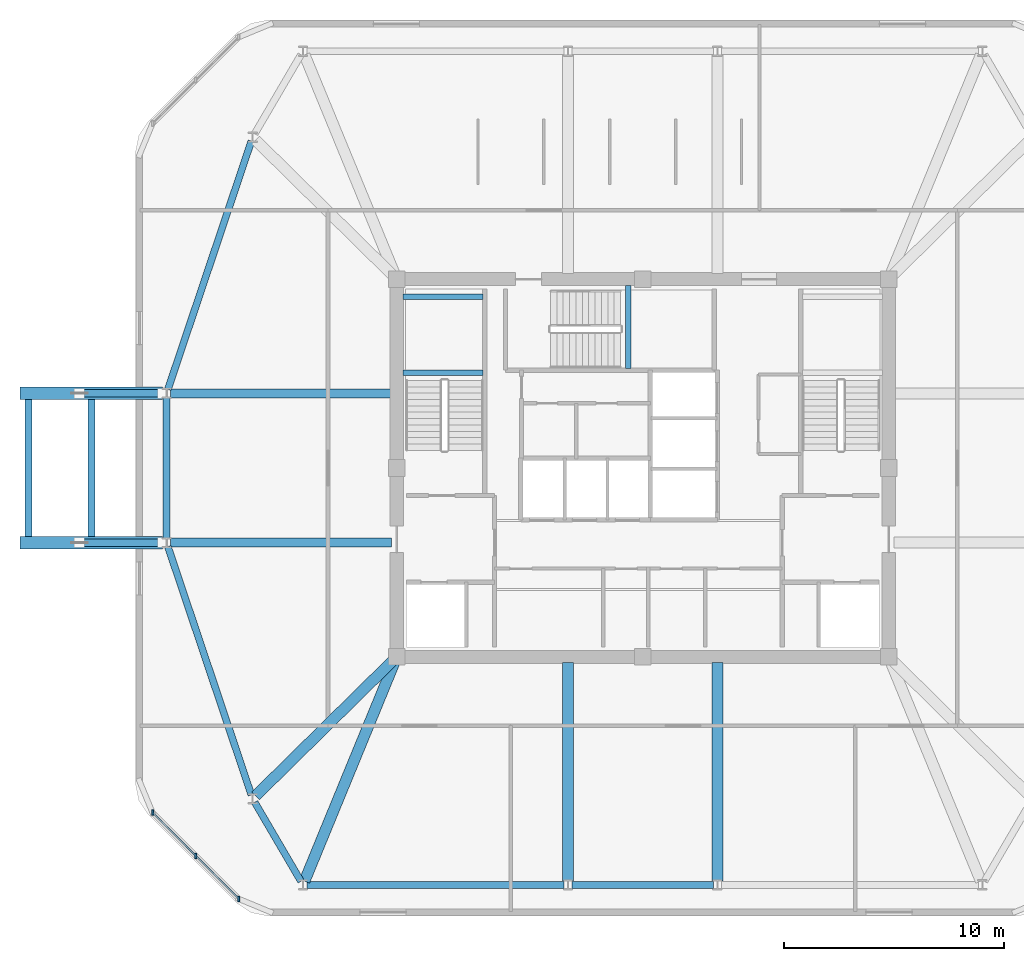
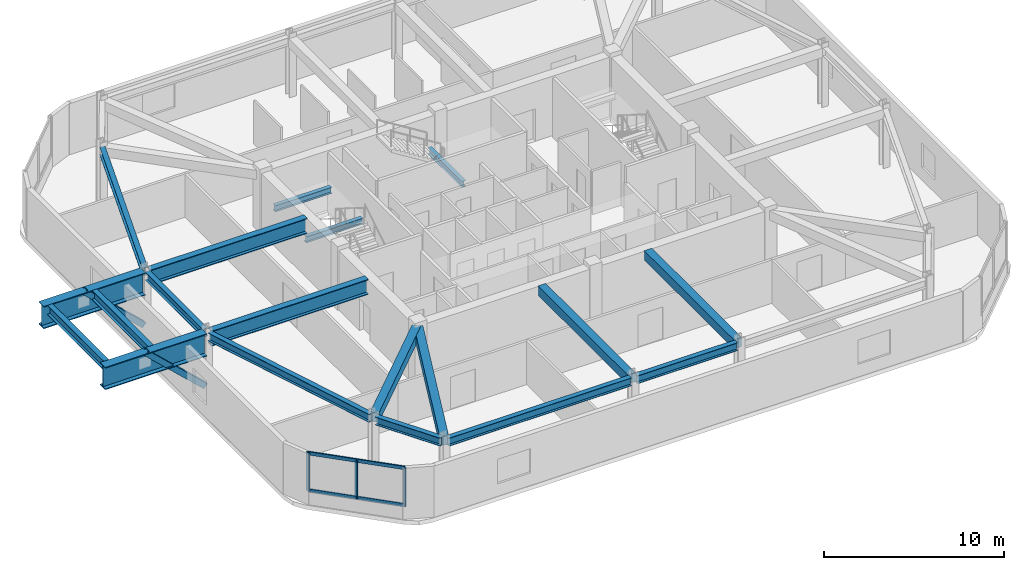
# One storey, part 2 of 9: 19 beams, 7 members, 1 element without a shape of its own.
"""IFC4 building model written with IfcOpenShell, lengths in metres."""

from ifc_helpers import new_model, si_unit, derived_unit, direction, frame, origin, origin_2d, place, context, subcontext, project, spatial, rectangle, hollow_rectangle, i_section, extrude, material, material_profile, profile_set, type_object, element, aggregate, save


model = new_model("IFC4")

# Units and contexts
model_context = context("Model", 3, precision=1e-05, world=origin(), true_north=direction((0.0, 1.0)))
body_context = subcontext(model_context, "Body", "Model", "MODEL_VIEW")
ifc_project = project(units=[si_unit("LENGTHUNIT", "METRE"), si_unit("AREAUNIT", "SQUARE_METRE"), si_unit("VOLUMEUNIT", "CUBIC_METRE"), si_unit("PLANEANGLEUNIT", "RADIAN"), si_unit("MASSUNIT", "GRAM", prefix="KILO"), derived_unit("THERMALTRANSMITTANCEUNIT", [(si_unit("POWERUNIT", "WATT"), 1), (si_unit("LENGTHUNIT", "METRE"), -2), (si_unit("THERMODYNAMICTEMPERATUREUNIT", "KELVIN"), -1)])], contexts=[model_context])

# Site, building, storey
site_placement = place(None, origin())
site = spatial("IfcSite", under=ifc_project, at=site_placement, CompositionType="ELEMENT")
building_placement = place(site_placement, origin())
building = spatial("IfcBuilding", under=site, at=building_placement, Name="Koralith Skygarden Medical Center", CompositionType="ELEMENT")
storey_placement = place(building_placement, frame((0.0, 0.0, 286.02001953125)))
storey = spatial("IfcBuildingStorey", under=building, at=storey_placement, Name="L74", CompositionType="ELEMENT", Elevation=286.02001953125)

# Curtain wall, members
ifc_material_1 = material(Name="Clear Laminated Glass", Category="glass")
curtain_wall_type = type_object("IfcCurtainWallType", Name="CW-8 Crown Lookout Low-Iron Curtain Wall", PredefinedType="NOTDEFINED", material=ifc_material_1)
curtain_wall_placement = place(storey_placement, origin())
curtain_wall = element("IfcCurtainWall", 1, at=curtain_wall_placement, inside=storey, type_object=curtain_wall_type, Name="Curtain Wall CW-L74-SW", PredefinedType="NOTDEFINED")
ifc_material_2 = material(Name="Aluminium 6063-T6", Category="aluminium")
ifc_material_profile_1 = material_profile(ifc_material_2, rectangle(XDim=0.089111328125, YDim=0.25, at=origin_2d()), Name="MUL89X250")
ifc_profile_set_1 = profile_set([ifc_material_profile_1], Name="Aluminium 6063-T6")
member_type_1 = type_object("IfcMemberType", Name="CW-8 Extruded Mullion 89x250", PredefinedType="MULLION", material=ifc_profile_set_1)
member_1_placement = place(storey_placement, frame((14.680908203125, 10.2041015625, 0.85009765625), z_axis=(0.0, 0.0, 1.0), x_axis=(1.0, 0.0, 0.0)))
member_1 = element("IfcMember", 2, at=member_1_placement, type_object=member_type_1, Name="CW-L74-SW Mullion 1", PredefinedType="MULLION", context=body_context, shape_type="SweptSolid", body=[
    extrude(rectangle(XDim=0.089111328125, YDim=0.25, at=origin_2d()), origin(), (0.0, 0.0, 1.0), 2.60986328125),
])
member_2_placement = place(storey_placement, frame((16.64208984375, 8.241943359375, 0.85009765625), z_axis=(0.0, 0.0, 1.0), x_axis=(1.0, 0.0, 0.0)))
member_2 = element("IfcMember", 3, at=member_2_placement, type_object=member_type_1, Name="CW-L74-SW Mullion 2", PredefinedType="MULLION", context=body_context, shape_type="SweptSolid", body=[
    extrude(rectangle(XDim=0.089111328125, YDim=0.25, at=origin_2d()), origin(), (0.0, 0.0, 1.0), 2.60986328125),
])
member_3_placement = place(storey_placement, frame((18.60400390625, 6.281005859375, 0.85009765625), z_axis=(0.0, 0.0, 1.0), x_axis=(1.0, 0.0, 0.0)))
member_3 = element("IfcMember", 4, at=member_3_placement, type_object=member_type_1, Name="CW-L74-SW Mullion 3", PredefinedType="MULLION", context=body_context, shape_type="SweptSolid", body=[
    extrude(rectangle(XDim=0.089111328125, YDim=0.25, at=origin_2d()), origin(), (0.0, 0.0, 1.0), 2.60986328125),
])
ifc_material_profile_2 = material_profile(ifc_material_2, rectangle(XDim=0.083984375, YDim=0.22509765625, at=origin_2d()), Name="TRN84X225")
ifc_profile_set_2 = profile_set([ifc_material_profile_2], Name="Aluminium 6063-T6")
member_type_2 = type_object("IfcMemberType", Name="CW-8 Thermal Transom 84x225", PredefinedType="USERDEFINED", material=ifc_profile_set_2)
member_4_placement = place(storey_placement, frame((14.680908203125, 10.2041015625, 0.89990234375), z_axis=(0.707106781187, -0.707106781187, 0.0), x_axis=(0.707106781187, 0.707106781187, 0.0)))
member_4 = element("IfcMember", 5, at=member_4_placement, type_object=member_type_2, Name="CW-L74-SW Transom 1", ObjectType="TRANSOM", PredefinedType="USERDEFINED", context=body_context, shape_type="SweptSolid", body=[
    extrude(rectangle(XDim=0.083984375, YDim=0.22509765625, at=origin_2d()), origin(), (0.0, 0.0, 1.0), 5.548095703125),
])
member_5_placement = place(storey_placement, frame((14.680908203125, 10.2041015625, 3.409912109375), z_axis=(0.707106781187, -0.707106781187, 0.0), x_axis=(0.707106781187, 0.707106781187, 0.0)))
member_5 = element("IfcMember", 6, at=member_5_placement, type_object=member_type_2, Name="CW-L74-SW Transom 2", ObjectType="TRANSOM", PredefinedType="USERDEFINED", context=body_context, shape_type="SweptSolid", body=[
    extrude(rectangle(XDim=0.083984375, YDim=0.22509765625, at=origin_2d()), origin(), (0.0, 0.0, 1.0), 5.548095703125),
])
aggregate(curtain_wall, [member_1, member_2, member_3, member_4, member_5])

# Beams
ifc_material_3 = material(Name="Steel ASTM A992 Grade 50", Category="steel")
ifc_material_profile_3 = material_profile(ifc_material_3, i_section(OverallWidth=0.31201171875, OverallDepth=0.54296875, WebThickness=0.0126953125, FlangeThickness=0.020263671875, at=origin_2d()), Name="W21X101")
ifc_profile_set_3 = profile_set([ifc_material_profile_3], Name="Steel ASTM A992 Grade 50")
beam_type_1 = type_object("IfcBeamType", Name="Canopy Ring Beam W21X101", PredefinedType="SPANDREL", material=ifc_profile_set_3)
beam_1_placement = place(storey_placement, frame((15.37890625, 22.324951171875, 3.7490234375), z_axis=(0.318639095106, -0.947876113778, 0.0), x_axis=(0.947876113778, 0.318639095106, 0.0)))
element("IfcBeam", 7, at=beam_1_placement, inside=storey, type_object=beam_type_1, Name="L74 Perimeter Spandrel Beam SP-01", PredefinedType="SPANDREL", context=body_context, shape_type="SweptSolid", body=[
    extrude(i_section(OverallWidth=0.31201171875, OverallDepth=0.54296875, WebThickness=0.0126953125, FlangeThickness=0.020263671875, at=origin_2d()), origin(), (0.0, 0.0, 1.0), 11.931884765625),
])
beam_2_placement = place(storey_placement, frame((19.3330078125, 10.679931640625, 3.7490234375), z_axis=(0.504951618525, -0.863147648406, 0.0), x_axis=(0.863147648406, 0.504951618525, 0.0)))
element("IfcBeam", 8, at=beam_2_placement, inside=storey, type_object=beam_type_1, Name="L74 Perimeter Spandrel Beam SP-02", PredefinedType="SPANDREL", context=body_context, shape_type="SweptSolid", body=[
    extrude(i_section(OverallWidth=0.31201171875, OverallDepth=0.54296875, WebThickness=0.0126953125, FlangeThickness=0.020263671875, at=origin_2d()), origin(), (0.0, 0.0, 1.0), 4.170654296875),
])
beam_3_placement = place(storey_placement, frame((21.717041015625, 6.919921875, 3.7490234375), z_axis=(1.0, 0.0, 0.0), x_axis=(0.0, 1.0, 0.0)))
element("IfcBeam", 9, at=beam_3_placement, inside=storey, type_object=beam_type_1, Name="L74 Perimeter Spandrel Beam SP-03", PredefinedType="SPANDREL", context=body_context, shape_type="SweptSolid", body=[
    extrude(i_section(OverallWidth=0.31201171875, OverallDepth=0.54296875, WebThickness=0.0126953125, FlangeThickness=0.020263671875, at=origin_2d()), origin(), (0.0, 0.0, 1.0), 11.697998046875),
])
beam_4_placement = place(storey_placement, frame((33.784912109375, 6.919921875, 3.7490234375), z_axis=(1.0, 0.0, 0.0), x_axis=(0.0, 1.0, 0.0)))
element("IfcBeam", 10, at=beam_4_placement, inside=storey, type_object=beam_type_1, Name="L74 Perimeter Spandrel Beam SP-04", PredefinedType="SPANDREL", context=body_context, shape_type="SweptSolid", body=[
    extrude(i_section(OverallWidth=0.31201171875, OverallDepth=0.54296875, WebThickness=0.0126953125, FlangeThickness=0.020263671875, at=origin_2d()), origin(), (0.0, 0.0, 1.0), 6.43017578125),
])
beam_5_placement = place(storey_placement, frame((19.180908203125, 40.784912109375, 3.7490234375), z_axis=(-0.318645275061, -0.947874036294, 0.0), x_axis=(0.947874036294, -0.318645275061, 0.0)))
element("IfcBeam", 11, at=beam_5_placement, inside=storey, type_object=beam_type_1, Name="L74 Perimeter Spandrel Beam SP-15", PredefinedType="SPANDREL", context=body_context, shape_type="SweptSolid", body=[
    extrude(i_section(OverallWidth=0.31201171875, OverallDepth=0.54296875, WebThickness=0.0126953125, FlangeThickness=0.020263671875, at=origin_2d()), origin(), (0.0, 0.0, 1.0), 11.931884765625),
])
beam_6_placement = place(storey_placement, frame((15.320068359375, 29.114990234375, 3.7490234375), z_axis=(0.0, -1.0, 0.0), x_axis=(1.0, 0.0, 0.0)))
element("IfcBeam", 12, at=beam_6_placement, inside=storey, type_object=beam_type_1, Name="L74 Perimeter Spandrel Beam SP-16", PredefinedType="SPANDREL", context=body_context, shape_type="SweptSolid", body=[
    extrude(i_section(OverallWidth=0.31201171875, OverallDepth=0.54296875, WebThickness=0.0126953125, FlangeThickness=0.020263671875, at=origin_2d()), origin(), (0.0, 0.0, 1.0), 6.429931640625),
])
ifc_material_profile_4 = material_profile(ifc_material_3, i_section(OverallWidth=0.56005859375, OverallDepth=1.52001953125, WebThickness=0.030029296875, FlangeThickness=0.054931640625, at=origin_2d()), Name="BG1520X560X55X30")
ifc_profile_set_4 = profile_set([ifc_material_profile_4], Name="Steel ASTM A992 Grade 50")
beam_type_2 = type_object("IfcBeamType", Name="Cantilever Crown Lounge Girder BG1520", PredefinedType="BEAM", material=ifc_profile_set_4)
for number, where, z_axis, x_axis, name in (
    (13, (15.14501953125, 22.5, 3.260009765625), (-1.0, 0.0, 0.0), (0.0, -1.0, 0.0), "L75 LNGE Primary Cantilever Girder 1"),
    (14, (15.14501953125, 29.300048828125, 3.260009765625), (-1.0, 0.0, 0.0), (0.0, -1.0, 0.0), "L75 LNGE Primary Cantilever Girder 2"),
):
    element("IfcBeam", number, at=place(storey_placement, frame(where, z_axis=z_axis, x_axis=x_axis)), inside=storey, type_object=beam_type_2, Name=name, PredefinedType="BEAM", context=body_context, shape_type="SweptSolid", body=[
        extrude(i_section(OverallWidth=0.56005859375, OverallDepth=1.52001953125, WebThickness=0.030029296875, FlangeThickness=0.054931640625, at=origin_2d()), origin(), (0.0, 0.0, 1.0), 6.5),
    ])
ifc_material_profile_5 = material_profile(ifc_material_3, i_section(OverallWidth=0.326904296875, OverallDepth=0.6220703125, WebThickness=0.015380859375, FlangeThickness=0.0244140625, at=origin_2d()), Name="W24X131")
ifc_profile_set_5 = profile_set([ifc_material_profile_5], Name="Steel ASTM A992 Grade 50")
beam_type_3 = type_object("IfcBeamType", Name="Cantilever Tie Beam W24X131", PredefinedType="BEAM", material=ifc_profile_set_5)
for number, where, z_axis, x_axis, name in (
    (15, (11.89501953125, 22.77001953125, 3.708984375), (0.0, 1.0, 0.0), (-1.0, 0.0, 0.0), "L75 LNGE Cantilever Tie Beam 1"),
    (16, (9.034912109375, 22.77001953125, 3.708984375), (0.0, 1.0, 0.0), (-1.0, 0.0, 0.0), "L75 LNGE Cantilever Tie Beam 2"),
):
    element("IfcBeam", number, at=place(storey_placement, frame(where, z_axis=z_axis, x_axis=x_axis)), inside=storey, type_object=beam_type_3, Name=name, PredefinedType="BEAM", context=body_context, shape_type="SweptSolid", body=[
        extrude(i_section(OverallWidth=0.326904296875, OverallDepth=0.6220703125, WebThickness=0.015380859375, FlangeThickness=0.0244140625, at=origin_2d()), origin(), (0.0, 0.0, 1.0), 6.260009765625),
    ])

# Members
ifc_material_4 = material(Name="Steel ASTM A500 Grade C", Category="steel")
ifc_material_profile_6 = material_profile(ifc_material_4, hollow_rectangle(XDim=0.35009765625, YDim=0.35009765625, WallThickness=0.01611328125, at=origin_2d()), Name="HSS350X350X16")
ifc_profile_set_6 = profile_set([ifc_material_profile_6], Name="Steel ASTM A500 Grade C")
member_type_3 = type_object("IfcMemberType", Name="Cantilever Truss Web Diagonal HSS350X350X16", PredefinedType="BRACE", material=ifc_profile_set_6)
for number, where, z_axis, x_axis, name in (
    (17, (15.135009765625, 22.5, 0.39990234375), (-0.727914978319, 0.0, 0.685667400668), (0.0, -1.0, 0.0), "L75 LNGE Cantilever Under-Strut Brace 1"),
    (18, (15.135009765625, 29.300048828125, 0.39990234375), (-0.727914978319, 0.0, 0.685667400668), (0.0, -1.0, 0.0), "L75 LNGE Cantilever Under-Strut Brace 2"),
):
    element("IfcMember", number, at=place(storey_placement, frame(where, z_axis=z_axis, x_axis=x_axis)), inside=storey, type_object=member_type_3, Name=name, PredefinedType="BRACE", context=body_context, shape_type="SweptSolid", body=[
        extrude(hollow_rectangle(XDim=0.35009765625, YDim=0.35009765625, WallThickness=0.01611328125, at=origin_2d()), origin(), (0.0, 0.0, 1.0), 5.206787109375),
    ])

# Beams
ifc_material_profile_7 = material_profile(ifc_material_3, i_section(OverallWidth=0.260009765625, OverallDepth=0.4150390625, WebThickness=0.010009765625, FlangeThickness=0.016845703125, at=origin_2d()), Name="W16X67")
ifc_profile_set_7 = profile_set([ifc_material_profile_7], Name="Steel ASTM A992 Grade 50")
beam_type_4 = type_object("IfcBeamType", Name="Clinical Floor Joist W16X67", PredefinedType="JOIST", material=ifc_profile_set_7)
for number, where, z_axis, x_axis, name in (
    (19, (26.080078125, 30.239990234375, 1.7529296875), (1.0, 0.0, 0.0), (0.0, 1.0, 0.0), "L74 Stair ST1 Half-Landing Support Beam 1A"),
    (20, (26.080078125, 33.699951171875, 1.7529296875), (1.0, 0.0, 0.0), (0.0, 1.0, 0.0), "L74 Stair ST1 Half-Landing Support Beam 1B"),
):
    element("IfcBeam", number, at=place(storey_placement, frame(where, z_axis=z_axis, x_axis=x_axis)), inside=storey, type_object=beam_type_4, Name=name, PredefinedType="JOIST", context=body_context, shape_type="SweptSolid", body=[
        extrude(i_section(OverallWidth=0.260009765625, OverallDepth=0.4150390625, WebThickness=0.010009765625, FlangeThickness=0.016845703125, at=origin_2d()), origin(), (0.0, 0.0, 1.0), 3.639892578125),
    ])
beam_7_placement = place(storey_placement, frame((36.340087890625, 30.43994140625, 1.7529296875), z_axis=(0.0, 1.0, 0.0), x_axis=(-1.0, 0.0, 0.0)))
element("IfcBeam", 21, at=beam_7_placement, inside=storey, type_object=beam_type_4, Name="L74 Stair ST3 Half-Landing Support Beam 1A", PredefinedType="JOIST", context=body_context, shape_type="SweptSolid", body=[
    extrude(i_section(OverallWidth=0.260009765625, OverallDepth=0.4150390625, WebThickness=0.010009765625, FlangeThickness=0.016845703125, at=origin_2d()), origin(), (0.0, 0.0, 1.0), 3.780029296875),
])
ifc_material_profile_8 = material_profile(ifc_material_3, i_section(OverallWidth=0.404052734375, OverallDepth=1.02099609375, WebThickness=0.025390625, FlangeThickness=0.0458984375, at=origin_2d()), Name="W40X324")
ifc_profile_set_8 = profile_set([ifc_material_profile_8], Name="Steel ASTM A992 Grade 50")
beam_type_5 = type_object("IfcBeamType", Name="Crown Back-Span Girder W40X324", PredefinedType="BEAM", material=ifc_profile_set_8)
for number, where, z_axis, x_axis, name in (
    (22, (25.550048828125, 22.5, 3.510009765625), (-1.0, 0.0, 0.0), (0.0, -1.0, 0.0), "L74 Radial Collector Beam RB-01"),
    (23, (25.550048828125, 29.300048828125, 3.510009765625), (-1.0, 0.0, 0.0), (0.0, -1.0, 0.0), "L74 Radial Collector Beam RB-16"),
):
    element("IfcBeam", number, at=place(storey_placement, frame(where, z_axis=z_axis, x_axis=x_axis)), inside=storey, type_object=beam_type_5, Name=name, PredefinedType="BEAM", context=body_context, shape_type="SweptSolid", body=[
        extrude(i_section(OverallWidth=0.404052734375, OverallDepth=1.02099609375, WebThickness=0.025390625, FlangeThickness=0.0458984375, at=origin_2d()), origin(), (0.0, 0.0, 1.0), 10.045166015625),
    ])
ifc_material_5 = material(Name="Concrete C45/55", Category="concrete")
ifc_material_profile_9 = material_profile(ifc_material_5, rectangle(XDim=0.5, YDim=0.6201171875, at=origin_2d()), Name="RCB500X620")
ifc_profile_set_9 = profile_set([ifc_material_profile_9], Name="Concrete C45/55")
beam_type_6 = type_object("IfcBeamType", Name="Upper Radial Collector Beam RCB500X620", PredefinedType="BEAM", material=ifc_profile_set_9)
beam_8_placement = place(storey_placement, frame((25.6220703125, 17.125, 3.7099609375), z_axis=(-0.712499385168, -0.701672734354, 0.0), x_axis=(0.701672734354, -0.712499385168, 0.0)))
element("IfcBeam", 24, at=beam_8_placement, inside=storey, type_object=beam_type_6, Name="L74 Radial Collector Beam RB-02", PredefinedType="BEAM", context=body_context, shape_type="SweptSolid", body=[
    extrude(rectangle(XDim=0.5, YDim=0.6201171875, at=origin_2d()), origin(), (0.0, 0.0, 1.0), 8.77197265625),
])
beam_9_placement = place(storey_placement, frame((25.705078125, 17.069091796875, 3.7099609375), z_axis=(-0.380308155568, -0.924859830898, 0.0), x_axis=(0.924859830898, -0.380308155568, 0.0)))
element("IfcBeam", 25, at=beam_9_placement, inside=storey, type_object=beam_type_6, Name="L74 Radial Collector Beam RB-03", PredefinedType="BEAM", context=body_context, shape_type="SweptSolid", body=[
    extrude(rectangle(XDim=0.5, YDim=0.6201171875, at=origin_2d()), origin(), (0.0, 0.0, 1.0), 10.78857421875),
])
for number, where, z_axis, x_axis, name in (
    (26, (33.60009765625, 17.050048828125, 3.7099609375), (0.0, -1.0, 0.0), (1.0, 0.0, 0.0), "L74 Radial Collector Beam RB-04"),
    (27, (40.39990234375, 17.050048828125, 3.7099609375), (0.0, -1.0, 0.0), (1.0, 0.0, 0.0), "L74 Radial Collector Beam RB-05"),
):
    element("IfcBeam", number, at=place(storey_placement, frame(where, z_axis=z_axis, x_axis=x_axis)), inside=storey, type_object=beam_type_6, Name=name, PredefinedType="BEAM", context=body_context, shape_type="SweptSolid", body=[
        extrude(rectangle(XDim=0.5, YDim=0.6201171875, at=origin_2d()), origin(), (0.0, 0.0, 1.0), 9.945068359375),
    ])

save(model, "model.ifc")
